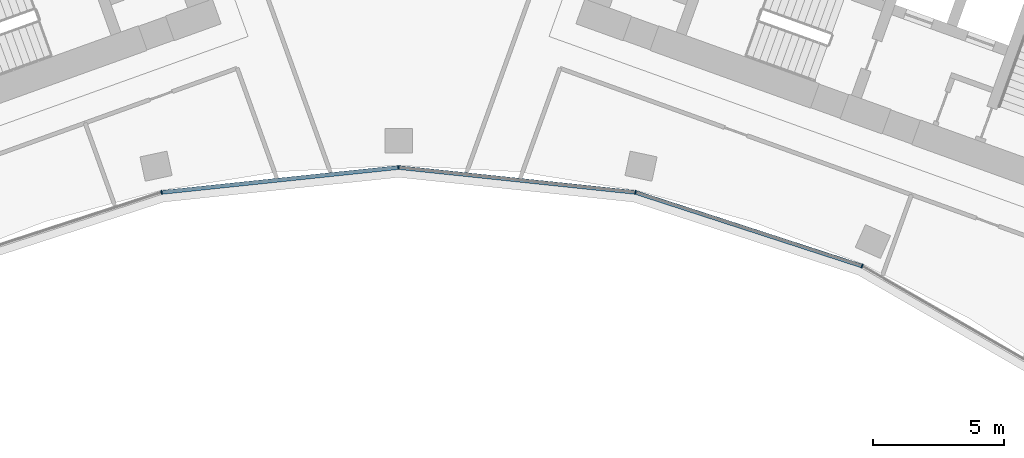
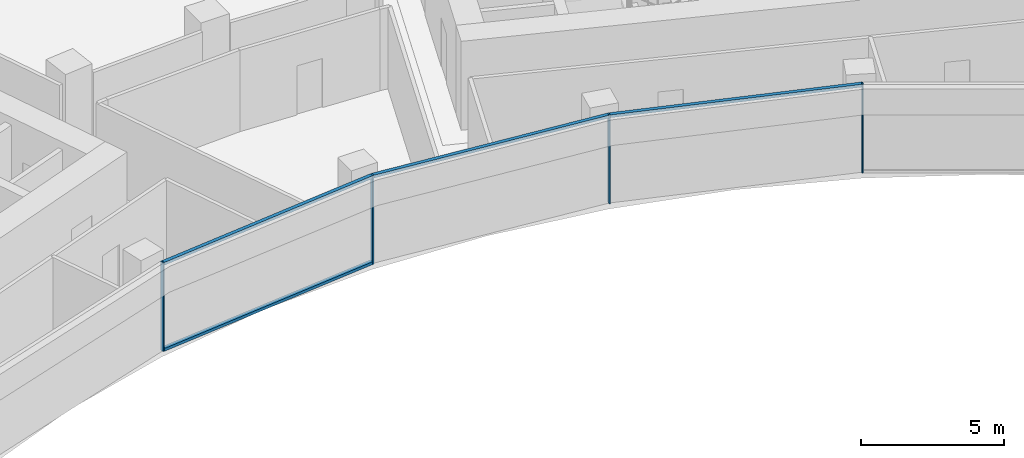
# One storey, part 5 of 19: 8 members, 1 element without a shape of its own.
"""IFC4 building model written with IfcOpenShell, lengths in metres."""

from ifc_helpers import new_model, si_unit, direction, frame, origin, origin_2d, place, context, subcontext, project, spatial, rectangle, extrude, material, layer, layer_set, material_profile, profile_set, type_object, element, aggregate, save


model = new_model("IFC4")

# Units and contexts
model_context = context("Model", 3, precision=1e-05, world=origin(), true_north=direction((0.0, 1.0)))
body_context = subcontext(model_context, "Body", "Model", "MODEL_VIEW")
ifc_project = project(units=[si_unit("LENGTHUNIT", "METRE"), si_unit("AREAUNIT", "SQUARE_METRE"), si_unit("VOLUMEUNIT", "CUBIC_METRE"), si_unit("PLANEANGLEUNIT", "RADIAN"), si_unit("MASSUNIT", "GRAM", prefix="KILO")], contexts=[model_context])

# Site, building, storey
site_placement = place(None, origin())
site = spatial("IfcSite", under=ifc_project, at=site_placement, CompositionType="ELEMENT")
building_placement = place(site_placement, origin())
building = spatial("IfcBuilding", under=site, at=building_placement, Name="Stone Belt Terrace Tower", CompositionType="ELEMENT")
storey_placement = place(building_placement, frame((0.0, 0.0, 235.199951171875)))
storey = spatial("IfcBuildingStorey", under=building, at=storey_placement, Name="L57", CompositionType="ELEMENT", Elevation=235.199951171875)

# Curtain wall, members
ifc_material = material(Name="Aluminium 6063-T6 anodised frame", Category="aluminium")
ifc_layer = layer(ifc_material, 0.14990234375)
ifc_layer_set = layer_set([ifc_layer], Name="CW-B unitised concave-face curtain wall")
curtain_wall_type = type_object("IfcCurtainWallType", Name="CW-B unitised concave-face curtain wall", PredefinedType="NOTDEFINED", material=ifc_layer_set)
curtain_wall_placement = place(storey_placement, origin())
curtain_wall = element("IfcCurtainWall", 1, at=curtain_wall_placement, inside=storey, type_object=curtain_wall_type, Name="CW-B concave face L57", PredefinedType="NOTDEFINED")
ifc_material_profile_1 = material_profile(ifc_material, rectangle(XDim=0.14990234375, YDim=0.050048828125, at=origin_2d()), Name="Aluminium 6063-T6 50x150")
ifc_profile_set_1 = profile_set([ifc_material_profile_1], Name="Aluminium 6063-T6 anodised frame")
member_type_1 = type_object("IfcMemberType", Name="CW-B mullion 50 x 150", PredefinedType="MULLION", material=ifc_profile_set_1)
member_1_placement = place(storey_placement, frame((-9.028564453125, 42.4755859375, 0.0), z_axis=(0.0, 0.0, 1.0), x_axis=(-0.207911690818, 0.978147600734, 0.0)))
member_1 = element("IfcMember", 2, at=member_1_placement, type_object=member_type_1, Name="CW-B mullion 4", PredefinedType="MULLION", context=body_context, shape_type="SweptSolid", body=[
    extrude(rectangle(XDim=0.14990234375, YDim=0.050048828125, at=origin_2d()), origin(), (0.0, 0.0, 1.0), 3.800048828125),
])
member_2_placement = place(storey_placement, frame((0.0, 43.424560546875, 0.0), z_axis=(0.0, 0.0, 1.0), x_axis=(0.0, 1.0, 0.0)))
member_2 = element("IfcMember", 3, at=member_2_placement, type_object=member_type_1, Name="CW-B mullion 5", PredefinedType="MULLION", context=body_context, shape_type="SweptSolid", body=[
    extrude(rectangle(XDim=0.14990234375, YDim=0.050048828125, at=origin_2d()), origin(), (0.0, 0.0, 1.0), 3.800048828125),
])
member_3_placement = place(storey_placement, frame((9.028564453125, 42.4755859375, 0.0), z_axis=(0.0, 0.0, 1.0), x_axis=(0.207911690818, 0.978147600734, 0.0)))
member_3 = element("IfcMember", 4, at=member_3_placement, type_object=member_type_1, Name="CW-B mullion 6", PredefinedType="MULLION", context=body_context, shape_type="SweptSolid", body=[
    extrude(rectangle(XDim=0.14990234375, YDim=0.050048828125, at=origin_2d()), origin(), (0.0, 0.0, 1.0), 3.800048828125),
])
member_4_placement = place(storey_placement, frame((17.662353515625, 39.67041015625, 0.0), z_axis=(0.0, 0.0, 1.0), x_axis=(0.406736643076, 0.913545457643, 0.0)))
member_4 = element("IfcMember", 5, at=member_4_placement, type_object=member_type_1, Name="CW-B mullion 7", PredefinedType="MULLION", context=body_context, shape_type="SweptSolid", body=[
    extrude(rectangle(XDim=0.14990234375, YDim=0.050048828125, at=origin_2d()), origin(), (0.0, 0.0, 1.0), 3.800048828125),
])
ifc_material_profile_2 = material_profile(ifc_material, rectangle(XDim=0.14990234375, YDim=0.1201171875, at=origin_2d()), Name="Aluminium 6063-T6 150x120")
ifc_profile_set_2 = profile_set([ifc_material_profile_2], Name="Aluminium 6063-T6 anodised frame")
member_type_2 = type_object("IfcMemberType", Name="CW-B transom 120 x 150", PredefinedType="USERDEFINED", material=ifc_profile_set_2)
member_5_placement = place(storey_placement, frame((-8.995849609375, 42.47900390625, 0.06005859375), z_axis=(0.994521323407, 0.104533904969, 0.0), x_axis=(-0.104533904969, 0.994521323407, 0.0)))
member_5 = element("IfcMember", 6, at=member_5_placement, type_object=member_type_2, Name="CW-B transom 4.1", ObjectType="TRANSOM", PredefinedType="USERDEFINED", context=body_context, shape_type="SweptSolid", body=[
    extrude(rectangle(XDim=0.14990234375, YDim=0.1201171875, at=origin_2d()), origin(), (0.0, 0.0, 1.0), 9.0126953125),
])
member_6_placement = place(storey_placement, frame((-8.995849609375, 42.47900390625, 3.739990234375), z_axis=(0.994521323407, 0.104533904969, 0.0), x_axis=(-0.104533904969, 0.994521323407, 0.0)))
member_6 = element("IfcMember", 7, at=member_6_placement, type_object=member_type_2, Name="CW-B transom 4.2", ObjectType="TRANSOM", PredefinedType="USERDEFINED", context=body_context, shape_type="SweptSolid", body=[
    extrude(rectangle(XDim=0.14990234375, YDim=0.1201171875, at=origin_2d()), origin(), (0.0, 0.0, 1.0), 9.0126953125),
])
member_7_placement = place(storey_placement, frame((0.032470703125, 43.421142578125, 3.739990234375), z_axis=(0.994521323407, -0.104533904969, 0.0), x_axis=(0.104533904969, 0.994521323407, 0.0)))
member_7 = element("IfcMember", 8, at=member_7_placement, type_object=member_type_2, Name="CW-B transom 5.1", ObjectType="TRANSOM", PredefinedType="USERDEFINED", context=body_context, shape_type="SweptSolid", body=[
    extrude(rectangle(XDim=0.14990234375, YDim=0.1201171875, at=origin_2d()), origin(), (0.0, 0.0, 1.0), 9.0126953125),
])
member_8_placement = place(storey_placement, frame((9.0595703125, 42.465576171875, 3.739990234375), z_axis=(0.951055963285, -0.309018696359, 0.0), x_axis=(0.309018696359, 0.951055963285, 0.0)))
member_8 = element("IfcMember", 9, at=member_8_placement, type_object=member_type_2, Name="CW-B transom 6.1", ObjectType="TRANSOM", PredefinedType="USERDEFINED", context=body_context, shape_type="SweptSolid", body=[
    extrude(rectangle(XDim=0.14990234375, YDim=0.1201171875, at=origin_2d()), origin(), (0.0, 0.0, 1.0), 9.012939453125),
])
aggregate(curtain_wall, [member_1, member_2, member_3, member_4, member_5, member_6, member_7, member_8])

save(model, "model.ifc")
